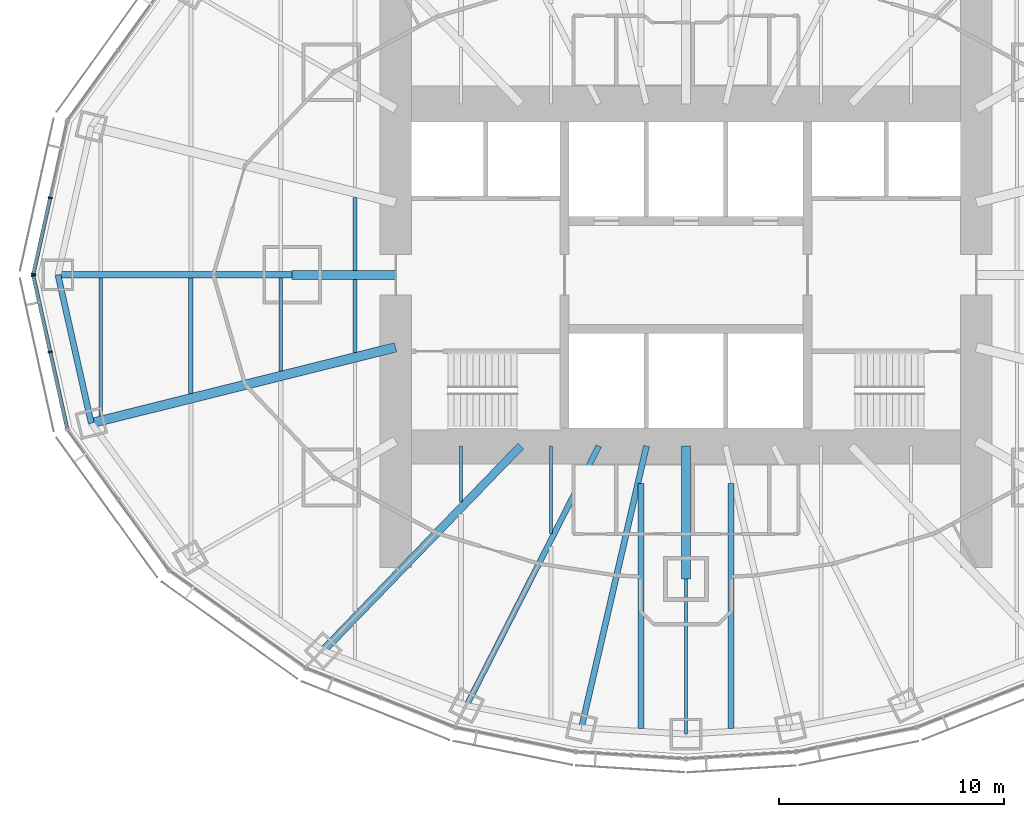
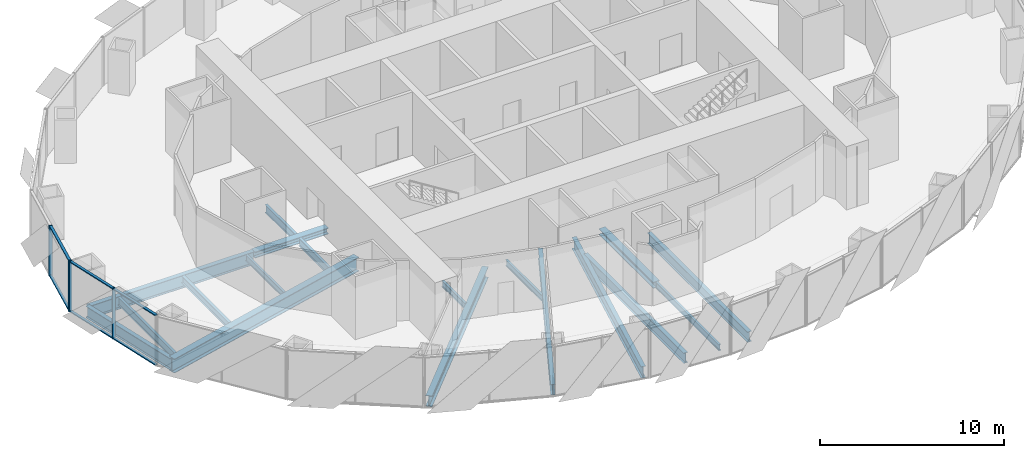
# One storey, part 3 of 18: 18 beams, 10 members, 2 elements without a shape of their own.
"""IFC4 building model written with IfcOpenShell, lengths in metres."""

import ifcopenshell
import ifcopenshell.guid

model = None  # the IFC model being written
_history = None  # IfcOwnerHistory: only IFC2X3 demands one
_inside = {}  # id of a spatial element -> (the spatial element, [elements in it])
_under = {}  # id of a project, library or spatial element -> (it, [spatial elements below it])
_declared = {}  # id of a project -> (the project, [libraries it declares])
_typed = {}  # id of a type object -> (the type object, [elements of that type])
_made_of = {}  # id of a material, layer set ... -> (it, [elements and type objects made of it])


def new_model(schema):
    """Start an empty IFC model of exactly this schema.

    Asked for "IFC4X3", IfcOpenShell would pick the latest addendum, in which some entities
    have other attributes; the version numbers below select the first issue.
    IFC2X3 requires an IfcOwnerHistory on every rooted entity: one is made here for all.
    """
    global model, _history
    if schema == "IFC4X3":
        model = ifcopenshell.file(schema_version=(4, 3, 0, 0))
    else:
        model = ifcopenshell.file(schema=schema)
    _inside.clear()
    _under.clear()
    _declared.clear()
    _typed.clear()
    _made_of.clear()
    _history = None
    if model.schema == "IFC2X3":
        org = make("IfcOrganization", Name="unknown")
        user = make(
            "IfcPersonAndOrganization",
            ThePerson=make("IfcPerson", FamilyName="unknown"),
            TheOrganization=org,
        )
        app = make(
            "IfcApplication",
            ApplicationDeveloper=org,
            Version="unknown",
            ApplicationFullName="unknown",
            ApplicationIdentifier="unknown",
        )
        _history = make(
            "IfcOwnerHistory",
            OwningUser=user,
            OwningApplication=app,
            ChangeAction="ADDED",
            CreationDate=0,
        )
    return model


def make(cls, **values):
    """One entity of the class cls with the attributes given. An attribute that is None is left unset."""
    return model.create_entity(
        cls, **{name: value for name, value in values.items() if value is not None}
    )


def rooted(cls, **values):
    """An entity with a GlobalId (a new one), such as an element, a storey or a relation."""
    return make(cls, GlobalId=ifcopenshell.guid.new(), OwnerHistory=_history, **values)


def si_unit(unit_type, name, prefix=None):
    """IfcSIUnit, for example si_unit("LENGTHUNIT", "METRE", prefix="MILLI")."""
    return make("IfcSIUnit", UnitType=unit_type, Prefix=prefix, Name=name)


def assignment(units):
    """IfcUnitAssignment: the units of a project."""
    return None if units is None else make("IfcUnitAssignment", Units=units)


def point(xyz):
    """IfcCartesianPoint."""
    return None if xyz is None else make("IfcCartesianPoint", Coordinates=xyz)


def direction(xyz):
    """IfcDirection."""
    return None if xyz is None else make("IfcDirection", DirectionRatios=xyz)


def frame(location, z_axis=None, x_axis=None):
    """IfcAxis2Placement3D, a coordinate frame: its origin and axes. An axis left out is left unset."""
    return make(
        "IfcAxis2Placement3D",
        Location=point(location),
        Axis=direction(z_axis),
        RefDirection=direction(x_axis),
    )


def frame_2d(location, x_axis=None):
    """IfcAxis2Placement2D, a coordinate frame in the plane: its origin and x axis."""
    return make(
        "IfcAxis2Placement2D", Location=point(location), RefDirection=direction(x_axis)
    )


def origin():
    """The frame at (0, 0, 0) with its axes left unset."""
    return frame((0.0, 0.0, 0.0))


def origin_2d():
    """The frame at (0, 0) in the plane with its x axis left unset."""
    return frame_2d((0.0, 0.0))


def place(relative_to, where):
    """IfcLocalPlacement: puts the frame where relative to a parent placement (None: the world)."""
    return make(
        "IfcLocalPlacement", PlacementRelTo=relative_to, RelativePlacement=where
    )


def context(
    kind, dimensions, precision=None, world=None, true_north=None, identifier=None
):
    """IfcGeometricRepresentationContext, for example the 3D "Model" context."""
    return make(
        "IfcGeometricRepresentationContext",
        ContextIdentifier=identifier,
        ContextType=kind,
        CoordinateSpaceDimension=dimensions,
        Precision=precision,
        WorldCoordinateSystem=world,
        TrueNorth=true_north,
    )


def subcontext(parent, identifier, kind, view, scale=None):
    """IfcGeometricRepresentationSubContext, for example "Body" below "Model"."""
    return make(
        "IfcGeometricRepresentationSubContext",
        ContextIdentifier=identifier,
        ContextType=kind,
        ParentContext=parent,
        TargetScale=scale,
        TargetView=view,
    )


def project(units=None, contexts=None):
    """IfcProject with its units and contexts."""
    return rooted(
        "IfcProject",
        Name="project",
        RepresentationContexts=contexts,
        UnitsInContext=assignment(units),
    )


def spatial(cls, under=None, at=None, **own):
    """A site, building, storey or space (cls), placed at a placement, below another one or the project."""
    s = rooted(cls, ObjectPlacement=at, **own)
    if under is not None:
        _under.setdefault(under.id(), (under, []))[1].append(s)
    return s


def profile(cls, at=None, kind="AREA", **sizes):
    """A parametric profile (cls). Its sizes go by their IFC names, for example OverallWidth=200.0."""
    return make(cls, ProfileType=kind, Position=at, **sizes)


def rectangle(**sizes):
    """IfcRectangleProfileDef."""
    return profile("IfcRectangleProfileDef", **sizes)


def i_section(**sizes):
    """IfcIShapeProfileDef."""
    return profile("IfcIShapeProfileDef", **sizes)


def extrude(swept, where, along, depth):
    """IfcExtrudedAreaSolid: the profile swept, set in the frame where, extruded along a direction by depth."""
    return make(
        "IfcExtrudedAreaSolid",
        SweptArea=swept,
        Position=where,
        ExtrudedDirection=direction(along),
        Depth=depth,
    )


def shape(context_of_items, identifier, shape_type, items):
    """IfcShapeRepresentation: the items that make up one representation, for example the "Body"."""
    return make(
        "IfcShapeRepresentation",
        ContextOfItems=context_of_items,
        RepresentationIdentifier=identifier,
        RepresentationType=shape_type,
        Items=items,
    )


def material(Name=None, Category=None):
    """IfcMaterial."""
    return make("IfcMaterial", Name=Name, Category=Category)


def material_profile(
    of_material, cross_section, Name=None, Category=None, Priority=None
):
    """IfcMaterialProfile: a cross section and its material."""
    return make(
        "IfcMaterialProfile",
        Name=Name,
        Material=of_material,
        Profile=cross_section,
        Priority=Priority,
        Category=Category,
    )


def profile_set(profiles, Name=None, composite=None):
    """IfcMaterialProfileSet."""
    return make(
        "IfcMaterialProfileSet",
        Name=Name,
        MaterialProfiles=profiles,
        CompositeProfile=composite,
    )


def made_of(thing, what):
    """Note that an element or type object is made of a material, layer set ...; save() writes the relation."""
    if what is not None:
        _made_of.setdefault(what.id(), (what, []))[1].append(thing)
    return thing


def type_object(cls, material=None, **own):
    """A type object (cls), such as IfcWallType, which elements share."""
    return made_of(rooted(cls, **own), material)


def element(
    cls,
    number,
    at=None,
    inside=None,
    cuts=None,
    type_object=None,
    material=None,
    context=None,
    identifier="Body",
    shape_type=None,
    held_by="IfcProductDefinitionShape",
    body=None,
    shapes=None,
    **own,
):
    """One element of the class cls, such as IfcWall. Its Tag is "e" and its number.

    at: its placement. inside: the storey or other place that contains it. cuts: it is an
    opening in that element (IfcRelVoidsElement). A single representation is given by context,
    identifier, shape_type and body (its items); several are given by shapes. held_by: the class
    of the entity that holds the representations. save() writes the other relations.
    """
    e = rooted(cls, Tag="e%d" % number, ObjectPlacement=at, **own)
    if body is not None:
        shapes = [shape(context, identifier, shape_type, body)]
    if shapes is not None:
        e.Representation = make(held_by, Representations=shapes)
    if inside is not None:
        _inside.setdefault(inside.id(), (inside, []))[1].append(e)
    if cuts is not None:
        rooted(
            "IfcRelVoidsElement", RelatingBuildingElement=cuts, RelatedOpeningElement=e
        )
    if type_object is not None:
        _typed.setdefault(type_object.id(), (type_object, []))[1].append(e)
    return made_of(e, material)


def aggregate(whole, parts):
    """IfcRelAggregates: a whole, such as a stair, and the parts it consists of."""
    return rooted("IfcRelAggregates", RelatingObject=whole, RelatedObjects=parts)


def save(model, path):
    """Write the relations noted so far, then the file.

    IfcRelAggregates (storeys below a building ...), IfcRelContainedInSpatialStructure (elements
    in a storey), IfcRelDefinesByType, IfcRelAssociatesMaterial and IfcRelDeclares: one each for
    every whole, place, type object, material and project.
    """
    for whole, parts in _under.values():
        aggregate(whole, parts)
    for where, things in _inside.values():
        rooted(
            "IfcRelContainedInSpatialStructure",
            RelatedElements=things,
            RelatingStructure=where,
        )
    for kind, things in _typed.values():
        rooted("IfcRelDefinesByType", RelatedObjects=things, RelatingType=kind)
    for what, things in _made_of.values():
        rooted("IfcRelAssociatesMaterial", RelatedObjects=things, RelatingMaterial=what)
    for by, libraries in _declared.values():
        rooted("IfcRelDeclares", RelatingContext=by, RelatedDefinitions=libraries)
    model.write(path)


model = new_model("IFC4")

# Units and contexts
model_context = context("Model", 3, precision=1e-05, world=origin(), true_north=direction((0.0, 1.0)))
body_context = subcontext(model_context, "Body", "Model", "MODEL_VIEW")
ifc_project = project(units=[si_unit("LENGTHUNIT", "METRE"), si_unit("AREAUNIT", "SQUARE_METRE"), si_unit("VOLUMEUNIT", "CUBIC_METRE"), si_unit("PLANEANGLEUNIT", "RADIAN"), si_unit("MASSUNIT", "GRAM", prefix="KILO")], contexts=[model_context])

# Site, building, storey
site_placement = place(None, origin())
site = spatial("IfcSite", under=ifc_project, at=site_placement, CompositionType="ELEMENT")
building_placement = place(site_placement, origin())
building = spatial("IfcBuilding", under=site, at=building_placement, Name="Lantaw Convention Tower", CompositionType="ELEMENT")
storey_placement = place(building_placement, frame((0.0, 0.0, 188.800048828125)))
storey = spatial("IfcBuildingStorey", under=building, at=storey_placement, Name="L44", CompositionType="ELEMENT", Elevation=188.800048828125)

# Beams
ifc_material_1 = material(Name="Steel ASTM A992", Category="steel")
ifc_material_profile_1 = material_profile(ifc_material_1, i_section(OverallWidth=0.2666015625, OverallDepth=0.76953125, WebThickness=0.015625, FlangeThickness=0.025390625, FilletRadius=0.0126953125, at=origin_2d()), Name="W30X132")
ifc_profile_set_1 = profile_set([ifc_material_profile_1], Name="Steel ASTM A992")
beam_type_1 = type_object("IfcBeamType", Name="Beam E W30X132", PredefinedType="SPANDREL", material=ifc_profile_set_1)
beam_1_placement = place(storey_placement, frame((-27.89990234375, 0.0, -0.534912109375), z_axis=(0.219211877447, -0.975677279015, 0.0), x_axis=(0.975677279015, 0.219211877447, 0.0)))
element("IfcBeam", 1, at=beam_1_placement, inside=storey, type_object=beam_type_1, Name="Edge beam 13", PredefinedType="SPANDREL", context=body_context, shape_type="SweptSolid", body=[
    extrude(i_section(OverallWidth=0.2666015625, OverallDepth=0.76953125, WebThickness=0.015625, FlangeThickness=0.025390625, FilletRadius=0.0126953125, at=origin_2d()), origin(), (0.0, 0.0, 1.0), 6.75146484375),
])
ifc_material_profile_2 = material_profile(ifc_material_1, i_section(OverallWidth=0.140380859375, OverallDepth=0.40380859375, WebThickness=0.007080078125, FlangeThickness=0.01123046875, FilletRadius=0.01025390625, at=origin_2d()), Name="W16X31")
ifc_profile_set_2 = profile_set([ifc_material_profile_2], Name="Steel ASTM A992")
beam_type_2 = type_object("IfcBeamType", Name="Beam G W16X31", PredefinedType="BEAM", material=ifc_profile_set_2)
beam_2_placement = place(storey_placement, frame((0.0, -13.5, -0.35205078125), z_axis=(0.0, -1.0, 0.0), x_axis=(1.0, 0.0, 0.0)))
element("IfcBeam", 2, at=beam_2_placement, inside=storey, type_object=beam_type_2, Name="Floor girder on ray 19", PredefinedType="BEAM", context=body_context, shape_type="SweptSolid", body=[
    extrude(i_section(OverallWidth=0.140380859375, OverallDepth=0.40380859375, WebThickness=0.007080078125, FlangeThickness=0.01123046875, FilletRadius=0.01025390625, at=origin_2d()), origin(), (0.0, 0.0, 1.0), 6.89990234375),
])
ifc_material_profile_3 = material_profile(ifc_material_1, i_section(OverallWidth=0.25390625, OverallDepth=0.700927734375, WebThickness=0.015380859375, FlangeThickness=0.02783203125, FilletRadius=0.01513671875, at=origin_2d()), Name="W27X129")
ifc_profile_set_3 = profile_set([ifc_material_profile_3], Name="Steel ASTM A992")
beam_type_3 = type_object("IfcBeamType", Name="Beam G W27X129", PredefinedType="BEAM", material=ifc_profile_set_3)
beam_3_placement = place(storey_placement, frame((-3.872314453125, -7.60009765625, -0.50048828125), z_axis=(-0.453991051051, -0.891006243281, 0.0), x_axis=(0.891006243281, -0.453991051051, 0.0)))
element("IfcBeam", 3, at=beam_3_placement, inside=storey, type_object=beam_type_3, Name="Floor girder on ray 17", PredefinedType="BEAM", context=body_context, shape_type="SweptSolid", body=[
    extrude(i_section(OverallWidth=0.25390625, OverallDepth=0.700927734375, WebThickness=0.015380859375, FlangeThickness=0.02783203125, FilletRadius=0.01513671875, at=origin_2d()), origin(), (0.0, 0.0, 1.0), 12.943359375),
])
ifc_material_profile_4 = material_profile(ifc_material_1, i_section(OverallWidth=0.360595703125, OverallDepth=0.72900390625, WebThickness=0.023193359375, FlangeThickness=0.041015625, FilletRadius=0.0126953125, at=origin_2d()), Name="W27X235")
ifc_profile_set_4 = profile_set([ifc_material_profile_4], Name="Steel ASTM A992")
beam_type_4 = type_object("IfcBeamType", Name="Beam G W27X235", PredefinedType="BEAM", material=ifc_profile_set_4)
beam_4_placement = place(storey_placement, frame((-7.33935546875, -7.60009765625, -0.5146484375), z_axis=(-0.694663467407, -0.719334878239, 0.0), x_axis=(0.719334878239, -0.694663467407, 0.0)))
element("IfcBeam", 4, at=beam_4_placement, inside=storey, type_object=beam_type_4, Name="Floor girder on ray 16", PredefinedType="BEAM", context=body_context, shape_type="SweptSolid", body=[
    extrude(i_section(OverallWidth=0.360595703125, OverallDepth=0.72900390625, WebThickness=0.023193359375, FlangeThickness=0.041015625, FilletRadius=0.0126953125, at=origin_2d()), origin(), (0.0, 0.0, 1.0), 12.63671875),
])
ifc_material_profile_5 = material_profile(ifc_material_1, i_section(OverallWidth=0.2666015625, OverallDepth=0.7568359375, WebThickness=0.013916015625, FlangeThickness=0.019287109375, FilletRadius=0.0126953125, at=origin_2d()), Name="W30X108")
ifc_profile_set_5 = profile_set([ifc_material_profile_5], Name="Steel ASTM A992")
beam_type_5 = type_object("IfcBeamType", Name="Beam G W30X108", PredefinedType="BEAM", material=ifc_profile_set_5)
beam_5_placement = place(storey_placement, frame((-1.754638671875, -7.60009765625, -0.528564453125), z_axis=(-0.224944153104, -0.974371658036, 0.0), x_axis=(0.974371658036, -0.224944153104, 0.0)))
element("IfcBeam", 5, at=beam_5_placement, inside=storey, type_object=beam_type_5, Name="Floor girder on ray 18", PredefinedType="BEAM", context=body_context, shape_type="SweptSolid", body=[
    extrude(i_section(OverallWidth=0.2666015625, OverallDepth=0.7568359375, WebThickness=0.013916015625, FlangeThickness=0.019287109375, FilletRadius=0.0126953125, at=origin_2d()), origin(), (0.0, 0.0, 1.0), 12.849365234375),
])
ifc_material_profile_6 = material_profile(ifc_material_1, i_section(OverallWidth=0.2919921875, OverallDepth=0.845703125, WebThickness=0.015380859375, FlangeThickness=0.0244140625, FilletRadius=0.01513671875, at=origin_2d()), Name="W33X141")
ifc_profile_set_6 = profile_set([ifc_material_profile_6], Name="Steel ASTM A992")
beam_type_6 = type_object("IfcBeamType", Name="Beam G W33X141", PredefinedType="BEAM", material=ifc_profile_set_6)
beam_6_placement = place(storey_placement, frame((-17.5, 0.0, -0.572998046875), z_axis=(-1.0, 0.0, 0.0), x_axis=(0.0, -1.0, 0.0)))
element("IfcBeam", 6, at=beam_6_placement, inside=storey, type_object=beam_type_6, Name="Floor girder on ray 13", PredefinedType="BEAM", context=body_context, shape_type="SweptSolid", body=[
    extrude(i_section(OverallWidth=0.2919921875, OverallDepth=0.845703125, WebThickness=0.015380859375, FlangeThickness=0.0244140625, FilletRadius=0.01513671875, at=origin_2d()), origin(), (0.0, 0.0, 1.0), 10.39990234375),
])
ifc_material_profile_7 = material_profile(ifc_material_1, i_section(OverallWidth=0.421630859375, OverallDepth=0.937255859375, WebThickness=0.0224609375, FlangeThickness=0.039794921875, FilletRadius=0.02001953125, at=origin_2d()), Name="W36X282")
ifc_profile_set_7 = profile_set([ifc_material_profile_7], Name="Steel ASTM A992")
beam_type_7 = type_object("IfcBeamType", Name="Beam G W36X282", PredefinedType="BEAM", material=ifc_profile_set_7)
beam_7_placement = place(storey_placement, frame((-12.89990234375, -3.21630859375, -0.61865234375), z_axis=(-0.970296903132, -0.24191717544, 0.0), x_axis=(0.24191717544, -0.970296903132, 0.0)))
element("IfcBeam", 7, at=beam_7_placement, inside=storey, type_object=beam_type_7, Name="Floor girder on ray 14", PredefinedType="BEAM", context=body_context, shape_type="SweptSolid", body=[
    extrude(i_section(OverallWidth=0.421630859375, OverallDepth=0.937255859375, WebThickness=0.0224609375, FlangeThickness=0.039794921875, FilletRadius=0.02001953125, at=origin_2d()), origin(), (0.0, 0.0, 1.0), 13.933837890625),
])
ifc_material_profile_8 = material_profile(ifc_material_1, i_section(OverallWidth=0.40380859375, OverallDepth=0.406494140625, WebThickness=0.027099609375, FlangeThickness=0.043701171875, FilletRadius=0.01513671875, at=origin_2d()), Name="W14X233")
ifc_profile_set_8 = profile_set([ifc_material_profile_8], Name="Steel ASTM A992")
beam_type_8 = type_object("IfcBeamType", Name="Beam GM W14X233", PredefinedType="BEAM", material=ifc_profile_set_8)
beam_8_placement = place(storey_placement, frame((-12.89990234375, 0.0, -0.353271484375), z_axis=(-1.0, 0.0, 0.0), x_axis=(0.0, -1.0, 0.0)))
element("IfcBeam", 8, at=beam_8_placement, inside=storey, type_object=beam_type_8, Name="Core link beam on ray 13", PredefinedType="BEAM", context=body_context, shape_type="SweptSolid", body=[
    extrude(i_section(OverallWidth=0.40380859375, OverallDepth=0.406494140625, WebThickness=0.027099609375, FlangeThickness=0.043701171875, FilletRadius=0.01513671875, at=origin_2d()), origin(), (0.0, 0.0, 1.0), 4.60009765625),
])
beam_9_placement = place(storey_placement, frame((0.0, -7.60009765625, -0.353271484375), z_axis=(0.0, -1.0, 0.0), x_axis=(1.0, 0.0, 0.0)))
element("IfcBeam", 9, at=beam_9_placement, inside=storey, type_object=beam_type_8, Name="Core link beam on ray 19", PredefinedType="BEAM", context=body_context, shape_type="SweptSolid", body=[
    extrude(i_section(OverallWidth=0.40380859375, OverallDepth=0.406494140625, WebThickness=0.027099609375, FlangeThickness=0.043701171875, FilletRadius=0.01513671875, at=origin_2d()), origin(), (0.0, 0.0, 1.0), 5.89990234375),
])
ifc_material_profile_9 = material_profile(ifc_material_1, i_section(OverallWidth=0.140380859375, OverallDepth=0.40380859375, WebThickness=0.007080078125, FlangeThickness=0.01123046875, FilletRadius=0.01025390625, at=origin_2d()), Name="W16X31")
ifc_profile_set_9 = profile_set([ifc_material_profile_9], Name="Steel ASTM A992")
beam_type_9 = type_object("IfcBeamType", Name="Beam J W16X31", PredefinedType="JOIST", material=ifc_profile_set_9)
beam_10_placement = place(storey_placement, frame((-18.0, -4.270751953125, -0.35205078125), z_axis=(0.0, 1.0, 0.0), x_axis=(-1.0, 0.0, 0.0)))
element("IfcBeam", 10, at=beam_10_placement, inside=storey, type_object=beam_type_9, Name="Floor joist", PredefinedType="JOIST", context=body_context, shape_type="SweptSolid", body=[
    extrude(i_section(OverallWidth=0.140380859375, OverallDepth=0.40380859375, WebThickness=0.007080078125, FlangeThickness=0.01123046875, FilletRadius=0.01025390625, at=origin_2d()), origin(), (0.0, 0.0, 1.0), 4.124755859375),
])
beam_11_placement = place(storey_placement, frame((-10.0, -10.095703125, -0.35205078125), z_axis=(0.0, 1.0, 0.0), x_axis=(-1.0, 0.0, 0.0)))
element("IfcBeam", 11, at=beam_11_placement, inside=storey, type_object=beam_type_9, Name="Floor joist", PredefinedType="JOIST", context=body_context, shape_type="SweptSolid", body=[
    extrude(i_section(OverallWidth=0.140380859375, OverallDepth=0.40380859375, WebThickness=0.007080078125, FlangeThickness=0.01123046875, FilletRadius=0.01025390625, at=origin_2d()), origin(), (0.0, 0.0, 1.0), 2.49560546875),
])
beam_12_placement = place(storey_placement, frame((-6.0, -11.495849609375, -0.35205078125), z_axis=(0.0, 1.0, 0.0), x_axis=(-1.0, 0.0, 0.0)))
element("IfcBeam", 12, at=beam_12_placement, inside=storey, type_object=beam_type_9, Name="Floor joist", PredefinedType="JOIST", context=body_context, shape_type="SweptSolid", body=[
    extrude(i_section(OverallWidth=0.140380859375, OverallDepth=0.40380859375, WebThickness=0.007080078125, FlangeThickness=0.01123046875, FilletRadius=0.01025390625, at=origin_2d()), origin(), (0.0, 0.0, 1.0), 3.895751953125),
])
ifc_material_profile_10 = material_profile(ifc_material_1, i_section(OverallWidth=0.1904296875, OverallDepth=0.457275390625, WebThickness=0.009033203125, FlangeThickness=0.014404296875, FilletRadius=0.01025390625, at=origin_2d()), Name="W18X50")
ifc_profile_set_10 = profile_set([ifc_material_profile_10], Name="Steel ASTM A992")
beam_type_10 = type_object("IfcBeamType", Name="Beam J W18X50", PredefinedType="JOIST", material=ifc_profile_set_10)
beam_13_placement = place(storey_placement, frame((-22.0, -5.267822265625, -0.378662109375), z_axis=(0.0, 1.0, 0.0), x_axis=(-1.0, 0.0, 0.0)))
element("IfcBeam", 13, at=beam_13_placement, inside=storey, type_object=beam_type_10, Name="Floor joist", PredefinedType="JOIST", context=body_context, shape_type="SweptSolid", body=[
    extrude(i_section(OverallWidth=0.1904296875, OverallDepth=0.457275390625, WebThickness=0.009033203125, FlangeThickness=0.014404296875, FilletRadius=0.01025390625, at=origin_2d()), origin(), (0.0, 0.0, 1.0), 5.121826171875),
])
ifc_material_profile_11 = material_profile(ifc_material_1, i_section(OverallWidth=0.1650390625, OverallDepth=0.52587890625, WebThickness=0.0087890625, FlangeThickness=0.011474609375, FilletRadius=0.0126953125, at=origin_2d()), Name="W21X44")
ifc_profile_set_11 = profile_set([ifc_material_profile_11], Name="Steel ASTM A992")
beam_type_11 = type_object("IfcBeamType", Name="Beam J W21X44", PredefinedType="JOIST", material=ifc_profile_set_11)
beam_14_placement = place(storey_placement, frame((-26.0, -6.26513671875, -0.412841796875), z_axis=(0.0, 1.0, 0.0), x_axis=(-1.0, 0.0, 0.0)))
element("IfcBeam", 14, at=beam_14_placement, inside=storey, type_object=beam_type_11, Name="Floor joist", PredefinedType="JOIST", context=body_context, shape_type="SweptSolid", body=[
    extrude(i_section(OverallWidth=0.1650390625, OverallDepth=0.52587890625, WebThickness=0.0087890625, FlangeThickness=0.011474609375, FilletRadius=0.0126953125, at=origin_2d()), origin(), (0.0, 0.0, 1.0), 6.119140625),
])
ifc_material_profile_12 = material_profile(ifc_material_1, i_section(OverallWidth=0.165771484375, OverallDepth=0.5283203125, WebThickness=0.009765625, FlangeThickness=0.013671875, FilletRadius=0.012939453125, at=origin_2d()), Name="W21X50")
ifc_profile_set_12 = profile_set([ifc_material_profile_12], Name="Steel ASTM A992")
beam_type_12 = type_object("IfcBeamType", Name="Beam J W21X50", PredefinedType="JOIST", material=ifc_profile_set_12)
for number, where, z_axis, x_axis, name in (
    (15, (-14.699951171875, -3.44775390625, -0.414306640625), (0.0, 1.0, 0.0), (-1.0, 0.0, 0.0), "Floor joist"),
    (16, (-14.699951171875, 0.201904296875, -0.414306640625), (0.0, 1.0, 0.0), (-1.0, 0.0, 0.0), "Floor joist"),
):
    element("IfcBeam", number, at=place(storey_placement, frame(where, z_axis=z_axis, x_axis=x_axis)), inside=storey, type_object=beam_type_12, Name=name, PredefinedType="JOIST", context=body_context, shape_type="SweptSolid", body=[
        extrude(i_section(OverallWidth=0.165771484375, OverallDepth=0.5283203125, WebThickness=0.009765625, FlangeThickness=0.013671875, FilletRadius=0.012939453125, at=origin_2d()), origin(), (0.0, 0.0, 1.0), 3.245849609375),
    ])
ifc_material_profile_13 = material_profile(ifc_material_1, i_section(OverallWidth=0.25390625, OverallDepth=0.683349609375, WebThickness=0.012451171875, FlangeThickness=0.01904296875, FilletRadius=0.01513671875, at=origin_2d()), Name="W27X94")
ifc_profile_set_13 = profile_set([ifc_material_profile_13], Name="Steel ASTM A992")
beam_type_13 = type_object("IfcBeamType", Name="Beam J W27X94", PredefinedType="JOIST", material=ifc_profile_set_13)
for number, where, z_axis, x_axis, name in (
    (17, (-2.0, -20.145751953125, -0.49169921875), (0.0, 1.0, 0.0), (-1.0, 0.0, 0.0), "Floor joist"),
    (18, (2.0, -20.145751953125, -0.49169921875), (0.0, 1.0, 0.0), (-1.0, 0.0, 0.0), "Floor joist"),
):
    element("IfcBeam", number, at=place(storey_placement, frame(where, z_axis=z_axis, x_axis=x_axis)), inside=storey, type_object=beam_type_13, Name=name, PredefinedType="JOIST", context=body_context, shape_type="SweptSolid", body=[
        extrude(i_section(OverallWidth=0.25390625, OverallDepth=0.683349609375, WebThickness=0.012451171875, FlangeThickness=0.01904296875, FilletRadius=0.01513671875, at=origin_2d()), origin(), (0.0, 0.0, 1.0), 10.889892578125),
    ])

# Curtain wall, members
ifc_material_2 = material(Name="Aluminium framed curtain wall", Category="aluminium")
curtain_wall_type = type_object("IfcCurtainWallType", Name="Office curtain wall low rise, pale aluminium", PredefinedType="USERDEFINED", material=ifc_material_2)
curtain_wall_1_placement = place(storey_placement, origin())
curtain_wall_1 = element("IfcCurtainWall", 19, at=curtain_wall_1_placement, inside=storey, type_object=curtain_wall_type, Name="Office curtain wall low rise, pale aluminium L44", ObjectType="UNITISED CURTAIN WALL", PredefinedType="USERDEFINED")
ifc_material_3 = material(Name="Aluminium 6063-T6", Category="aluminium")
ifc_material_profile_14 = material_profile(ifc_material_3, rectangle(XDim=0.199951171875, YDim=0.06494140625, at=origin_2d()), Name="CW-O1 mullion 65x200")
ifc_profile_set_14 = profile_set([ifc_material_profile_14], Name="Aluminium 6063-T6")
member_type_1 = type_object("IfcMemberType", Name="CW-O1 mullion 65x200", PredefinedType="MULLION", material=ifc_profile_set_14)
member_1_placement = place(storey_placement, frame((-28.24365234375, 3.4267578125, -0.150146484375), z_axis=(0.0, 0.0, 1.0), x_axis=(0.9764936509, -0.215546166174, 0.0)))
member_1 = element("IfcMember", 20, at=member_1_placement, type_object=member_type_1, Name="CW-O1 mullion 2", PredefinedType="MULLION", context=body_context, shape_type="SweptSolid", body=[
    extrude(rectangle(XDim=0.199951171875, YDim=0.06494140625, at=origin_2d()), origin(), (0.0, 0.0, 1.0), 3.35009765625),
])
member_2_placement = place(storey_placement, frame((-28.992919921875, 0.03173828125, -0.150146484375), z_axis=(0.0, 0.0, 1.0), x_axis=(0.9764936509, -0.215546166174, 0.0)))
member_2 = element("IfcMember", 21, at=member_2_placement, type_object=member_type_1, Name="CW-O1 mullion 3", PredefinedType="MULLION", context=body_context, shape_type="SweptSolid", body=[
    extrude(rectangle(XDim=0.199951171875, YDim=0.06494140625, at=origin_2d()), origin(), (0.0, 0.0, 1.0), 3.35009765625),
])

curtain_wall_2_placement = place(storey_placement, origin())
curtain_wall_2 = element("IfcCurtainWall", 22, at=curtain_wall_2_placement, inside=storey, type_object=curtain_wall_type, Name="Office curtain wall low rise, pale aluminium L44", ObjectType="UNITISED CURTAIN WALL", PredefinedType="USERDEFINED")
member_3_placement = place(storey_placement, frame((-28.992919921875, -0.03173828125, -0.150146484375), z_axis=(0.0, 0.0, 1.0), x_axis=(0.9764936509, 0.215546166174, 0.0)))
member_3 = element("IfcMember", 23, at=member_3_placement, type_object=member_type_1, Name="CW-O1 mullion 1", PredefinedType="MULLION", context=body_context, shape_type="SweptSolid", body=[
    extrude(rectangle(XDim=0.199951171875, YDim=0.06494140625, at=origin_2d()), origin(), (0.0, 0.0, 1.0), 3.35009765625),
])
member_4_placement = place(storey_placement, frame((-28.24365234375, -3.4267578125, -0.150146484375), z_axis=(0.0, 0.0, 1.0), x_axis=(0.9764936509, 0.215546166174, 0.0)))
member_4 = element("IfcMember", 24, at=member_4_placement, type_object=member_type_1, Name="CW-O1 mullion 2", PredefinedType="MULLION", context=body_context, shape_type="SweptSolid", body=[
    extrude(rectangle(XDim=0.199951171875, YDim=0.06494140625, at=origin_2d()), origin(), (0.0, 0.0, 1.0), 3.35009765625),
])

# Member
ifc_material_profile_15 = material_profile(ifc_material_3, rectangle(XDim=0.159912109375, YDim=0.06494140625, at=origin_2d()), Name="CW-O1 transom 65x160")
ifc_profile_set_15 = profile_set([ifc_material_profile_15], Name="Aluminium 6063-T6")
member_type_2 = type_object("IfcMemberType", Name="CW-O1 transom 65x160", PredefinedType="USERDEFINED", material=ifc_profile_set_15)
member_5_placement = place(storey_placement, frame((-28.250732421875, 3.39501953125, -0.117431640625), z_axis=(-0.215536096386, -0.976495873598, 0.0), x_axis=(0.976495873598, -0.215536096386, 0.0)))
member_5 = element("IfcMember", 25, at=member_5_placement, type_object=member_type_2, Name="CW-O1 transom 2.1", ObjectType="TRANSOM", PredefinedType="USERDEFINED", context=body_context, shape_type="SweptSolid", body=[
    extrude(rectangle(XDim=0.159912109375, YDim=0.06494140625, at=origin_2d()), origin(), (0.0, 0.0, 1.0), 3.41162109375),
])

member_6_placement = place(storey_placement, frame((-28.250732421875, 3.39501953125, 3.16748046875), z_axis=(-0.215536096386, -0.976495873598, 0.0), x_axis=(0.976495873598, -0.215536096386, 0.0)))
member_6 = element("IfcMember", 26, at=member_6_placement, type_object=member_type_2, Name="CW-O1 transom 2.2", ObjectType="TRANSOM", PredefinedType="USERDEFINED", context=body_context, shape_type="SweptSolid", body=[
    extrude(rectangle(XDim=0.159912109375, YDim=0.06494140625, at=origin_2d()), origin(), (0.0, 0.0, 1.0), 3.41162109375),
])

aggregate(curtain_wall_1, [member_1, member_2, member_5, member_6])

member_7_placement = place(storey_placement, frame((-28.986083984375, -0.0634765625, -0.117431640625), z_axis=(0.215536096386, -0.976495873598, 0.0), x_axis=(0.976495873598, 0.215536096386, 0.0)))
member_7 = element("IfcMember", 27, at=member_7_placement, type_object=member_type_2, Name="CW-O1 transom 1.1", ObjectType="TRANSOM", PredefinedType="USERDEFINED", context=body_context, shape_type="SweptSolid", body=[
    extrude(rectangle(XDim=0.159912109375, YDim=0.06494140625, at=origin_2d()), origin(), (0.0, 0.0, 1.0), 3.41162109375),
])

member_8_placement = place(storey_placement, frame((-28.986083984375, -0.0634765625, 3.16748046875), z_axis=(0.215536096386, -0.976495873598, 0.0), x_axis=(0.976495873598, 0.215536096386, 0.0)))
member_8 = element("IfcMember", 28, at=member_8_placement, type_object=member_type_2, Name="CW-O1 transom 1.2", ObjectType="TRANSOM", PredefinedType="USERDEFINED", context=body_context, shape_type="SweptSolid", body=[
    extrude(rectangle(XDim=0.159912109375, YDim=0.06494140625, at=origin_2d()), origin(), (0.0, 0.0, 1.0), 3.41162109375),
])

member_9_placement = place(storey_placement, frame((-28.236572265625, -3.45849609375, -0.117431640625), z_axis=(0.21555115847, -0.976492548913, 0.0), x_axis=(0.976492548913, 0.21555115847, 0.0)))
member_9 = element("IfcMember", 29, at=member_9_placement, type_object=member_type_2, Name="CW-O1 transom 2.1", ObjectType="TRANSOM", PredefinedType="USERDEFINED", context=body_context, shape_type="SweptSolid", body=[
    extrude(rectangle(XDim=0.159912109375, YDim=0.06494140625, at=origin_2d()), origin(), (0.0, 0.0, 1.0), 3.411376953125),
])

member_10_placement = place(storey_placement, frame((-28.236572265625, -3.45849609375, 3.16748046875), z_axis=(0.21555115847, -0.976492548913, 0.0), x_axis=(0.976492548913, 0.21555115847, 0.0)))
member_10 = element("IfcMember", 30, at=member_10_placement, type_object=member_type_2, Name="CW-O1 transom 2.2", ObjectType="TRANSOM", PredefinedType="USERDEFINED", context=body_context, shape_type="SweptSolid", body=[
    extrude(rectangle(XDim=0.159912109375, YDim=0.06494140625, at=origin_2d()), origin(), (0.0, 0.0, 1.0), 3.411376953125),
])

aggregate(curtain_wall_2, [member_3, member_4, member_7, member_8, member_9, member_10])

save(model, "model.ifc")
